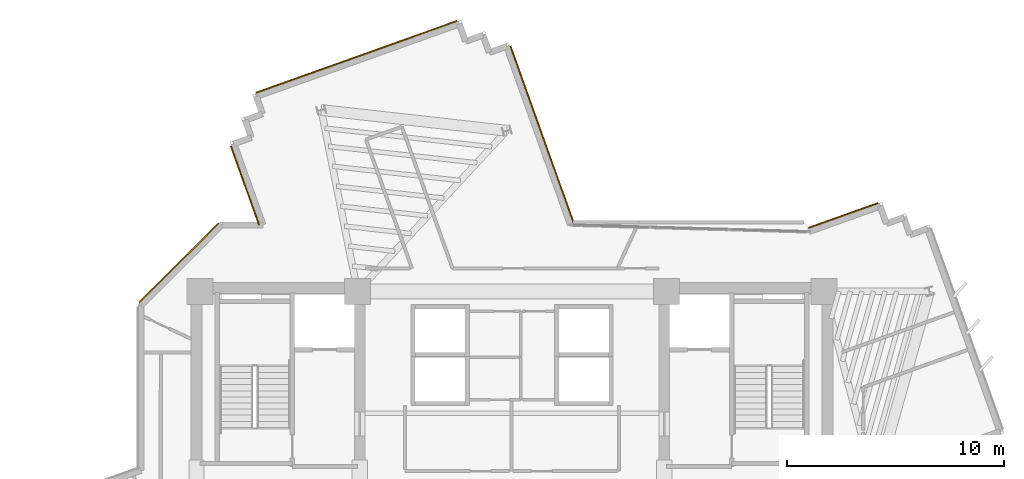
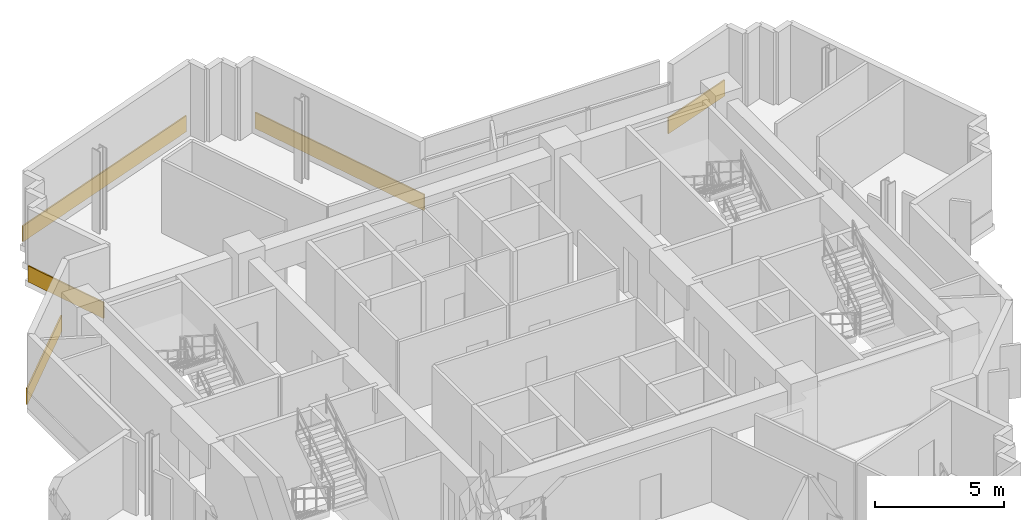
# One storey, part 13 of 13: 5 coverings.
"""IFC4 building model written with IfcOpenShell, lengths in metres."""

from ifc_helpers import new_model, si_unit, direction, frame, origin, origin_2d, place, context, subcontext, project, spatial, rectangle, extrude, source, transform, mapped, material, layer, layer_set, type_object, element, save


model = new_model("IFC4")

# Units and contexts
model_context = context("Model", 3, precision=1e-05, world=origin(), true_north=direction((0.0, 1.0)))
body_context = subcontext(model_context, "Body", "Model", "MODEL_VIEW")
ifc_project = project(units=[si_unit("LENGTHUNIT", "METRE"), si_unit("AREAUNIT", "SQUARE_METRE"), si_unit("VOLUMEUNIT", "CUBIC_METRE"), si_unit("PLANEANGLEUNIT", "RADIAN"), si_unit("MASSUNIT", "GRAM", prefix="KILO")], contexts=[model_context])

# Site, building, storey
site_placement = place(None, origin())
site = spatial("IfcSite", under=ifc_project, at=site_placement, CompositionType="ELEMENT")
building_placement = place(site_placement, origin())
building = spatial("IfcBuilding", under=site, at=building_placement, Name="Zahravan Cultural Tower", CompositionType="ELEMENT")
storey_placement = place(building_placement, frame((0.0, 0.0, 225.300048828125)))
storey = spatial("IfcBuildingStorey", under=building, at=storey_placement, Name="L53", CompositionType="ELEMENT", Elevation=225.300048828125)

# Coverings
ifc_material = material(Name="Terracotta ceramic cladding", Category="masonry")
ifc_layer = layer(ifc_material, 0.06005859375)
ifc_layer_set = layer_set([ifc_layer], Name="Terracotta ceramic cladding")
covering_type = type_object("IfcCoveringType", Name="COV-CLAD-TC60", PredefinedType="CLADDING", material=ifc_layer_set)
shared_shape_1 = source(origin(), body_context, "Body", "SweptSolid", [
    extrude(rectangle(XDim=9.820068359375, YDim=0.06005859375, at=origin_2d()), origin(), (0.0, 0.0, 1.0), 0.760009765625),
])
covering_1_placement = place(storey_placement, frame((28.856689453125, 46.98681640625, 0.02001953125), z_axis=(0.0, 0.0, 1.0), x_axis=(0.94167041539, 0.336536519236, 0.0)))
element("IfcCovering", 1, at=covering_1_placement, inside=storey, type_object=covering_type, Name="L53 Terracotta Spandrel Cladding 45", PredefinedType="CLADDING", context=body_context, shape_type="MappedRepresentation", body=[
    mapped(shared_shape_1, transform((0.0, 0.0, 0.0), x_axis=(1.0, 0.0, 0.0), y_axis=(0.0, 1.0, 0.0), z_axis=(0.0, 0.0, 1.0), scale=1.0)),
])
shared_shape_2 = source(origin(), body_context, "Body", "SweptSolid", [
    extrude(rectangle(XDim=5.157958984375, YDim=0.06005859375, at=origin_2d()), origin(), (0.0, 0.0, 1.0), 0.760009765625),
])
covering_2_placement = place(storey_placement, frame((20.682373046875, 37.517578125, 0.02001953125), z_axis=(0.0, 0.0, 1.0), x_axis=(0.707106781187, 0.707106781187, 0.0)))
element("IfcCovering", 2, at=covering_2_placement, inside=storey, type_object=covering_type, Name="L53 Terracotta Spandrel Cladding 38", PredefinedType="CLADDING", context=body_context, shape_type="MappedRepresentation", body=[
    mapped(shared_shape_2, transform((0.0, 0.0, 0.0), x_axis=(1.0, 0.0, 0.0), y_axis=(0.0, 1.0, 0.0), z_axis=(0.0, 0.0, 1.0), scale=1.0)),
])
shared_shape_3 = source(origin(), body_context, "Body", "SweptSolid", [
    extrude(rectangle(XDim=3.38330078125, YDim=0.06005859375, at=origin_2d()), origin(), (0.0, 0.0, 1.0), 0.760009765625),
])
covering_3_placement = place(storey_placement, frame((51.2353515625, 39.69287109375, 0.02001953125), z_axis=(0.0, 0.0, 1.0), x_axis=(0.941658667476, 0.336569389529, 0.0)))
element("IfcCovering", 3, at=covering_3_placement, inside=storey, type_object=covering_type, Name="L53 Terracotta Spandrel Cladding 01", PredefinedType="CLADDING", context=body_context, shape_type="MappedRepresentation", body=[
    mapped(shared_shape_3, transform((0.0, 0.0, 0.0), x_axis=(1.0, 0.0, 0.0), y_axis=(0.0, 1.0, 0.0), z_axis=(0.0, 0.0, 1.0), scale=1.0)),
])
shared_shape_4 = source(origin(), body_context, "Body", "SweptSolid", [
    extrude(rectangle(XDim=3.8603515625, YDim=0.06005859375, at=origin_2d()), origin(), (0.0, 0.0, 1.0), 0.760009765625),
])
covering_4_placement = place(storey_placement, frame((23.72412109375, 41.069091796875, 0.02001953125), z_axis=(0.0, 0.0, 1.0), x_axis=(-0.336536519236, 0.94167041539, 0.0)))
element("IfcCovering", 4, at=covering_4_placement, inside=storey, type_object=covering_type, Name="L53 Terracotta Spandrel Cladding 40", PredefinedType="CLADDING", context=body_context, shape_type="MappedRepresentation", body=[
    mapped(shared_shape_4, transform((0.0, 0.0, 0.0), x_axis=(1.0, 0.0, 0.0), y_axis=(0.0, 1.0, 0.0), z_axis=(0.0, 0.0, 1.0), scale=1.0)),
])
shared_shape_5 = source(origin(), body_context, "Body", "SweptSolid", [
    extrude(rectangle(XDim=8.620849609375, YDim=0.06005859375, at=origin_2d()), origin(), (0.0, 0.0, 1.0), 0.760009765625),
])
covering_5_placement = place(storey_placement, frame((37.37890625, 43.421630859375, 0.02001953125), z_axis=(0.0, 0.0, 1.0), x_axis=(0.336552954434, -0.941664541576, 0.0)))
element("IfcCovering", 5, at=covering_5_placement, inside=storey, type_object=covering_type, Name="L53 Terracotta Spandrel Cladding 50", PredefinedType="CLADDING", context=body_context, shape_type="MappedRepresentation", body=[
    mapped(shared_shape_5, transform((0.0, 0.0, 0.0), x_axis=(1.0, 0.0, 0.0), y_axis=(0.0, 1.0, 0.0), z_axis=(0.0, 0.0, 1.0), scale=1.0)),
])

save(model, "model.ifc")
